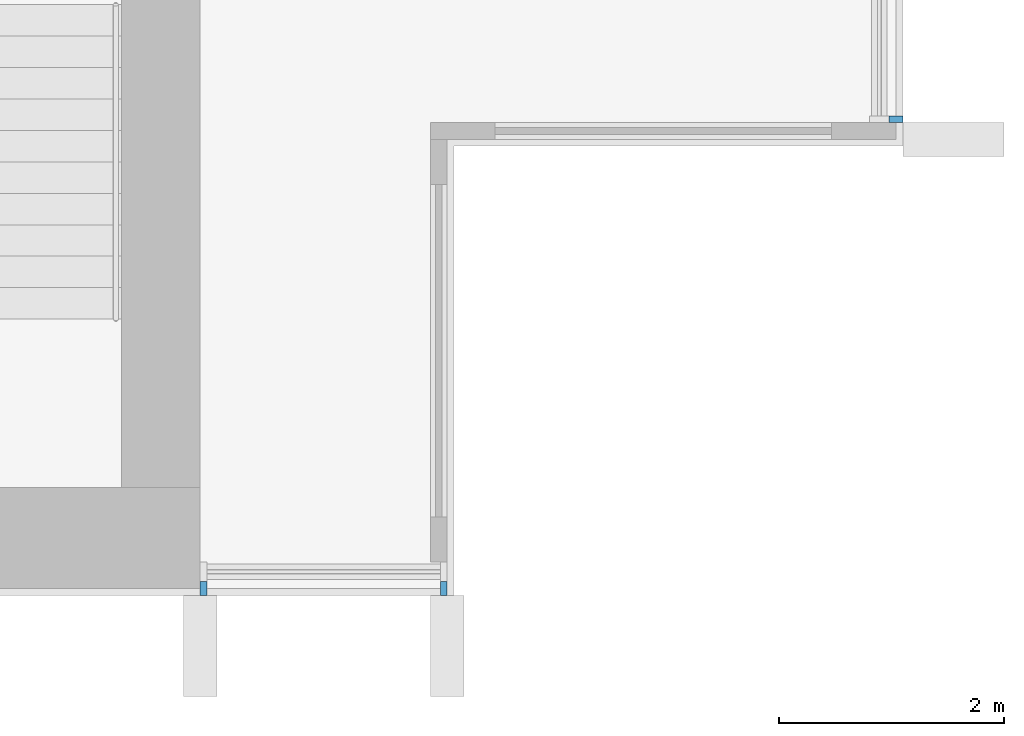
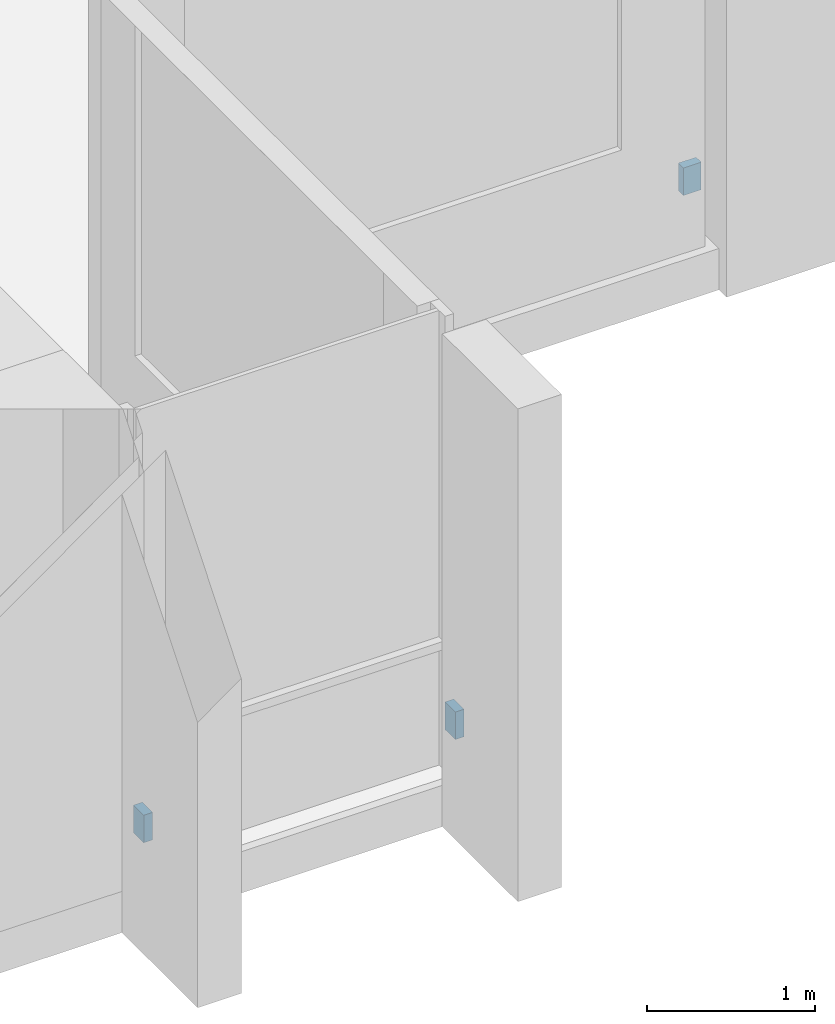
# One storey, part 14 of 17: 3 discrete accessories.
"""IFC4 building model written with IfcOpenShell, lengths in metres."""

from ifc_helpers import new_model, si_unit, direction, frame, origin, origin_2d, place, context, subcontext, project, spatial, rectangle, extrude, material, type_object, element, save


model = new_model("IFC4")

# Units and contexts
model_context = context("Model", 3, precision=1e-05, world=origin(), true_north=direction((0.0, 1.0)))
body_context = subcontext(model_context, "Body", "Model", "MODEL_VIEW")
ifc_project = project(units=[si_unit("LENGTHUNIT", "METRE"), si_unit("AREAUNIT", "SQUARE_METRE"), si_unit("VOLUMEUNIT", "CUBIC_METRE"), si_unit("PLANEANGLEUNIT", "RADIAN"), si_unit("MASSUNIT", "GRAM", prefix="KILO")], contexts=[model_context])

# Site, building, storey
site_placement = place(None, origin())
site = spatial("IfcSite", under=ifc_project, at=site_placement, CompositionType="ELEMENT")
building_placement = place(site_placement, origin())
building = spatial("IfcBuilding", under=site, at=building_placement, Name="Finial Court Residences", CompositionType="ELEMENT")
storey_placement = place(building_placement, frame((0.0, 0.0, 167.300048828125)))
storey = spatial("IfcBuildingStorey", under=building, at=storey_placement, Name="L41", CompositionType="ELEMENT", Elevation=167.300048828125)

# Discrete accessories
ifc_material = material(Name="Stainless steel 316", Category="steel")
discrete_accessory_type = type_object("IfcDiscreteAccessoryType", Name="Fin bracket, stainless steel 60 x 122 x 200", PredefinedType="BRACKET", material=ifc_material)
discrete_accessory_placement = place(storey_placement, frame((19.498779296875, -21.320068359375, 0.2998046875), z_axis=(0.0, 0.0, 1.0), x_axis=(1.0, 0.0, 0.0)))
element("IfcDiscreteAccessory", 1, at=discrete_accessory_placement, inside=storey, type_object=discrete_accessory_type, Name="E-L41-FIN-E7-BRK", PredefinedType="BRACKET", context=body_context, shape_type="SweptSolid", body=[
    extrude(rectangle(XDim=0.12255859375, YDim=0.06005859375, at=origin_2d()), origin(), (0.0, 0.0, 1.0), 0.199951171875),
])
for number, where, z_axis, x_axis, name in (
    (2, (13.330078125, -25.498779296875, 0.2998046875), (0.0, 0.0, 1.0), (1.0, 0.0, 0.0), "E-L41-FIN-S20-BRK"),
    (3, (15.469970703125, -25.498779296875, 0.2998046875), (0.0, 0.0, 1.0), (1.0, 0.0, 0.0), "E-L41-FIN-S21-BRK"),
):
    element("IfcDiscreteAccessory", number, at=place(storey_placement, frame(where, z_axis=z_axis, x_axis=x_axis)), inside=storey, type_object=discrete_accessory_type, Name=name, PredefinedType="BRACKET", context=body_context, shape_type="SweptSolid", body=[
        extrude(rectangle(XDim=0.06005859375, YDim=0.12255859375, at=origin_2d()), origin(), (0.0, 0.0, 1.0), 0.199951171875),
    ])

save(model, "model.ifc")
